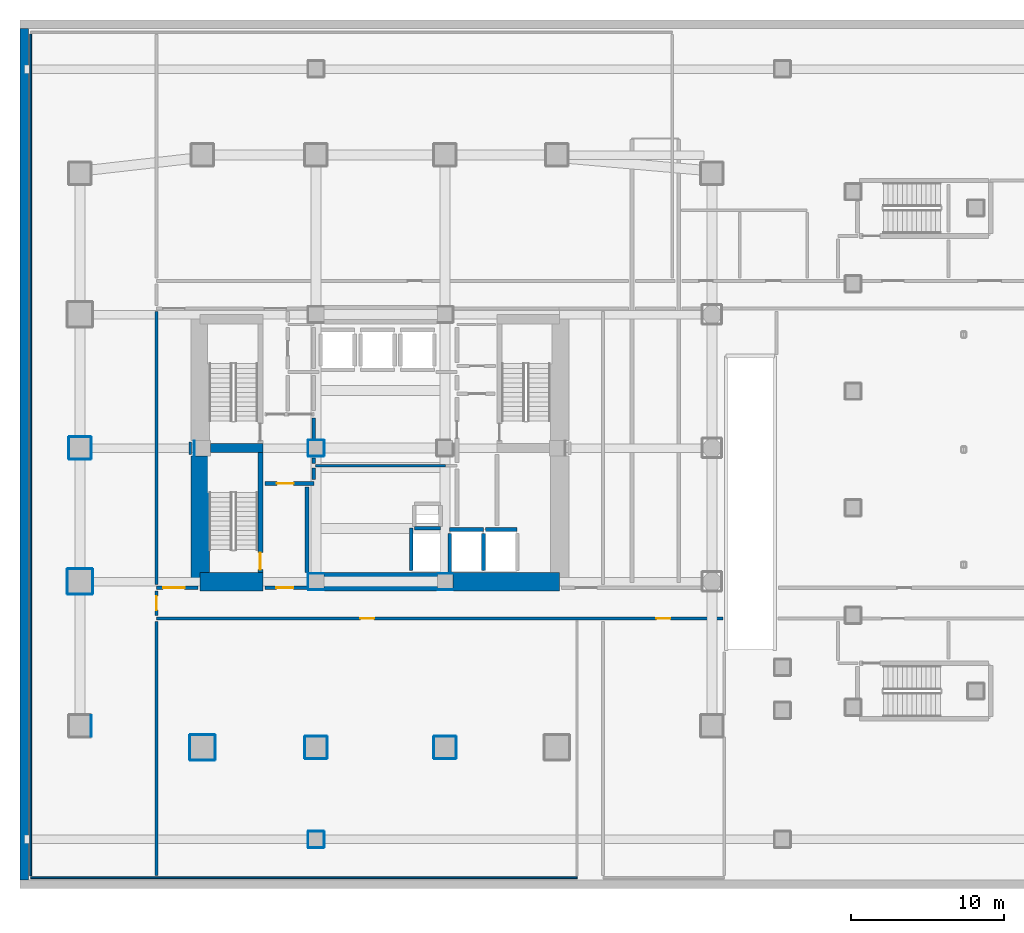
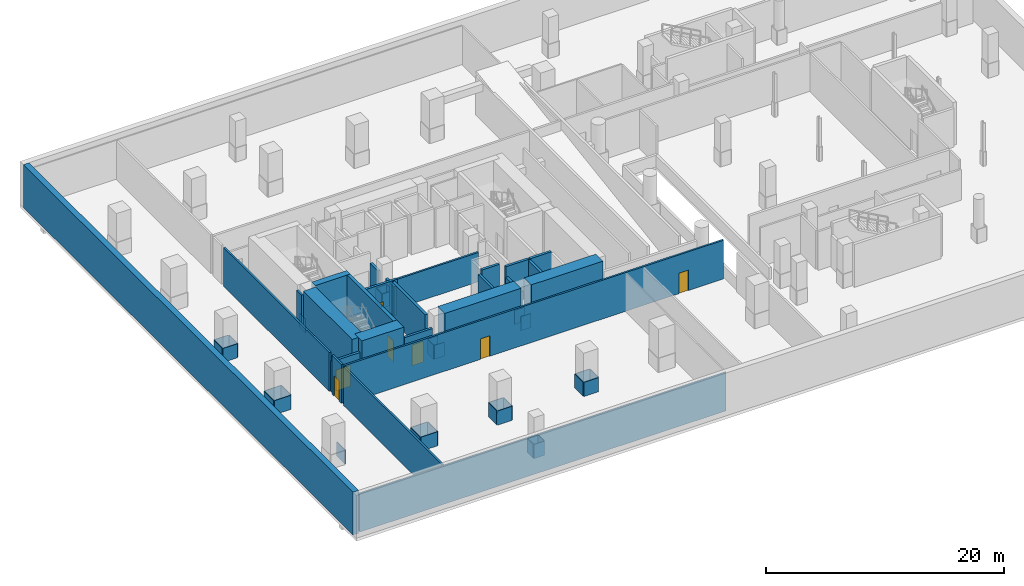
# One storey, part 7 of 22: 63 walls, 7 doors, 7 openings.
"""IFC4 building model written with IfcOpenShell, lengths in metres."""

from ifc_helpers import new_model, si_unit, direction, frame, frame_2d, origin, place, context, subcontext, project, spatial, rectangle, extrude, material, layer, layer_set, type_object, element, fill, save


model = new_model("IFC4")

# Units and contexts
model_context = context("Model", 3, precision=1e-05, world=origin(), true_north=direction((0.0, 1.0)))
body_context = subcontext(model_context, "Body", "Model", "MODEL_VIEW")
ifc_project = project(units=[si_unit("LENGTHUNIT", "METRE"), si_unit("AREAUNIT", "SQUARE_METRE"), si_unit("VOLUMEUNIT", "CUBIC_METRE"), si_unit("PLANEANGLEUNIT", "RADIAN"), si_unit("MASSUNIT", "GRAM", prefix="KILO")], contexts=[model_context])

# Site, building, storey
site_placement = place(None, origin())
site = spatial("IfcSite", under=ifc_project, at=site_placement, CompositionType="ELEMENT")
building_placement = place(site_placement, origin())
building = spatial("IfcBuilding", under=site, at=building_placement, Name="Solanera Arch Residences", CompositionType="ELEMENT")
storey_placement = place(building_placement, frame((0.0, 0.0, -4.39990234375)))
storey = spatial("IfcBuildingStorey", under=building, at=storey_placement, Name="B01", CompositionType="ELEMENT", Elevation=-4.39990234375)

# Walls
ifc_material_1 = material(Name="Fire-Rated Gypsum Stud Partition", Category="gypsum")
ifc_layer_1 = layer(ifc_material_1, 0.06005859375)
ifc_layer_set_1 = layer_set([ifc_layer_1], Name="Fire-Rated Gypsum Stud Partition")
wall_type_1 = type_object("IfcWallType", Name="Column Acoustic Furring Wall 60", PredefinedType="PARTITIONING", material=ifc_layer_set_1)
for number, where, z_axis, x_axis, name in (
    (1, (20.300048828125, 21.468017578125, 0.0), (0.0, 0.0, 1.0), (1.0, 0.0, 0.0), "B01 Column Furring 1S"),
    (2, (20.300048828125, 22.531982421875, 0.0), (0.0, 0.0, 1.0), (1.0, 0.0, 0.0), "B01 Column Furring 1N"),
):
    element("IfcWall", number, at=place(storey_placement, frame(where, z_axis=z_axis, x_axis=x_axis)), inside=storey, type_object=wall_type_1, Name=name, PredefinedType="PARTITIONING", context=body_context, shape_type="SweptSolid", body=[
        extrude(rectangle(XDim=0.989990234375, YDim=0.06005859375, at=frame_2d((0.4951171875, 0.0))), origin(), (0.0, 0.0, 1.0), 1.449951171875),
    ])
wall_1_placement = place(storey_placement, frame((20.26806640625, 21.5, 0.0), z_axis=(0.0, 0.0, 1.0), x_axis=(0.0, 1.0, 0.0)))
element("IfcWall", 3, at=wall_1_placement, inside=storey, type_object=wall_type_1, Name="B01 Column Furring 1W", PredefinedType="PARTITIONING", context=body_context, shape_type="SweptSolid", body=[
    extrude(rectangle(XDim=1.0, YDim=0.06005859375, at=frame_2d((0.5, 0.0))), origin(), (0.0, 0.0, 1.0), 1.449951171875),
])
for number, where, z_axis, x_axis, name in (
    (4, (28.7099609375, 21.468017578125, 0.0), (0.0, 0.0, 1.0), (1.0, 0.0, 0.0), "B01 Column Furring 2S"),
    (5, (28.7099609375, 22.531982421875, 0.0), (0.0, 0.0, 1.0), (1.0, 0.0, 0.0), "B01 Column Furring 2N"),
    (6, (12.867919921875, 30.2099609375, 0.0), (0.0, 0.0, 1.0), (0.0, 1.0, 0.0), "B01 Column Furring 5W"),
):
    element("IfcWall", number, at=place(storey_placement, frame(where, z_axis=z_axis, x_axis=x_axis)), inside=storey, type_object=wall_type_1, Name=name, PredefinedType="PARTITIONING", context=body_context, shape_type="SweptSolid", body=[
        extrude(rectangle(XDim=0.97998046875, YDim=0.06005859375, at=frame_2d((0.489990234375, 0.0))), origin(), (0.0, 0.0, 1.0), 1.449951171875),
    ])
for number, where, z_axis, x_axis, name in (
    (7, (20.300048828125, 30.16796875, 0.0), (0.0, 0.0, 1.0), (1.0, 0.0, 0.0), "B01 Column Furring 7S"),
    (8, (20.300048828125, 31.23193359375, 0.0), (0.0, 0.0, 1.0), (1.0, 0.0, 0.0), "B01 Column Furring 7N"),
    (9, (20.26806640625, 30.199951171875, 0.0), (0.0, 0.0, 1.0), (0.0, 1.0, 0.0), "B01 Column Furring 7W"),
    (10, (21.33203125, 30.199951171875, 0.0), (0.0, 0.0, 1.0), (0.0, 1.0, 0.0), "B01 Column Furring 7E"),
):
    element("IfcWall", number, at=place(storey_placement, frame(where, z_axis=z_axis, x_axis=x_axis)), inside=storey, type_object=wall_type_1, Name=name, PredefinedType="PARTITIONING", context=body_context, shape_type="SweptSolid", body=[
        extrude(rectangle(XDim=1.0, YDim=0.06005859375, at=frame_2d((0.5, 0.0))), origin(), (0.0, 0.0, 1.0), 1.449951171875),
    ])
for number, where, z_axis, x_axis, name in (
    (11, (12.60009765625, 10.367919921875, 0.0), (0.0, 0.0, 1.0), (1.0, 0.0, 0.0), "B01 Column Furring 9S"),
    (12, (12.60009765625, 12.031982421875, 0.0), (0.0, 0.0, 1.0), (1.0, 0.0, 0.0), "B01 Column Furring 9N"),
):
    element("IfcWall", number, at=place(storey_placement, frame(where, z_axis=z_axis, x_axis=x_axis)), inside=storey, type_object=wall_type_1, Name=name, PredefinedType="PARTITIONING", context=body_context, shape_type="SweptSolid", body=[
        extrude(rectangle(XDim=1.599853515625, YDim=0.06005859375, at=frame_2d((0.7998046875, 0.0))), origin(), (0.0, 0.0, 1.0), 1.449951171875),
    ])
for number, where, z_axis, x_axis, name in (
    (13, (12.568115234375, 10.39990234375, 0.0), (0.0, 0.0, 1.0), (0.0, 1.0, 0.0), "B01 Column Furring 9W"),
    (14, (14.23193359375, 10.39990234375, 0.0), (0.0, 0.0, 1.0), (0.0, 1.0, 0.0), "B01 Column Furring 9E"),
):
    element("IfcWall", number, at=place(storey_placement, frame(where, z_axis=z_axis, x_axis=x_axis)), inside=storey, type_object=wall_type_1, Name=name, PredefinedType="PARTITIONING", context=body_context, shape_type="SweptSolid", body=[
        extrude(rectangle(XDim=1.60009765625, YDim=0.06005859375, at=frame_2d((0.800048828125, 0.0))), origin(), (0.0, 0.0, 1.0), 1.449951171875),
    ])
for number, where, z_axis, x_axis, name in (
    (15, (4.60009765625, 21.16796875, 0.0), (0.0, 0.0, 1.0), (1.0, 0.0, 0.0), "B01 Column Furring 15S"),
    (16, (4.60009765625, 22.83203125, 0.0), (0.0, 0.0, 1.0), (1.0, 0.0, 0.0), "B01 Column Furring 15N"),
):
    element("IfcWall", number, at=place(storey_placement, frame(where, z_axis=z_axis, x_axis=x_axis)), inside=storey, type_object=wall_type_1, Name=name, PredefinedType="PARTITIONING", context=body_context, shape_type="SweptSolid", body=[
        extrude(rectangle(XDim=1.599853515625, YDim=0.06005859375, at=frame_2d((0.7998046875, 0.0))), origin(), (0.0, 0.0, 1.0), 1.449951171875),
    ])
for number, where, z_axis, x_axis, name in (
    (17, (4.568115234375, 21.199951171875, 0.0), (0.0, 0.0, 1.0), (0.0, 1.0, 0.0), "B01 Column Furring 15W"),
    (18, (6.23193359375, 21.199951171875, 0.0), (0.0, 0.0, 1.0), (0.0, 1.0, 0.0), "B01 Column Furring 15E"),
):
    element("IfcWall", number, at=place(storey_placement, frame(where, z_axis=z_axis, x_axis=x_axis)), inside=storey, type_object=wall_type_1, Name=name, PredefinedType="PARTITIONING", context=body_context, shape_type="SweptSolid", body=[
        extrude(rectangle(XDim=1.60009765625, YDim=0.06005859375, at=frame_2d((0.800048828125, 0.0))), origin(), (0.0, 0.0, 1.0), 1.449951171875),
    ])
for number, where, z_axis, x_axis, name in (
    (19, (4.699951171875, 29.968017578125, 0.0), (0.0, 0.0, 1.0), (1.0, 0.0, 0.0), "B01 Column Furring 16S"),
    (20, (4.699951171875, 31.431884765625, 0.0), (0.0, 0.0, 1.0), (1.0, 0.0, 0.0), "B01 Column Furring 16N"),
):
    element("IfcWall", number, at=place(storey_placement, frame(where, z_axis=z_axis, x_axis=x_axis)), inside=storey, type_object=wall_type_1, Name=name, PredefinedType="PARTITIONING", context=body_context, shape_type="SweptSolid", body=[
        extrude(rectangle(XDim=1.400146484375, YDim=0.06005859375, at=frame_2d((0.7001953125, 0.0))), origin(), (0.0, 0.0, 1.0), 1.449951171875),
    ])
for number, where, z_axis, x_axis, name in (
    (21, (4.66796875, 30.0, 0.0), (0.0, 0.0, 1.0), (0.0, 1.0, 0.0), "B01 Column Furring 16W"),
    (22, (6.132080078125, 30.0, 0.0), (0.0, 0.0, 1.0), (0.0, 1.0, 0.0), "B01 Column Furring 16E"),
):
    element("IfcWall", number, at=place(storey_placement, frame(where, z_axis=z_axis, x_axis=x_axis)), inside=storey, type_object=wall_type_1, Name=name, PredefinedType="PARTITIONING", context=body_context, shape_type="SweptSolid", body=[
        extrude(rectangle(XDim=1.39990234375, YDim=0.06005859375, at=frame_2d((0.699951171875, 0.0))), origin(), (0.0, 0.0, 1.0), 1.449951171875),
    ])
wall_2_placement = place(storey_placement, frame((6.132080078125, 11.89990234375, 0.0), z_axis=(0.0, 0.0, 1.0), x_axis=(0.0, 1.0, 0.0)))
element("IfcWall", 23, at=wall_2_placement, inside=storey, type_object=wall_type_1, Name="B01 Column Furring 21E", PredefinedType="PARTITIONING", context=body_context, shape_type="SweptSolid", body=[
    extrude(rectangle(XDim=1.400146484375, YDim=0.06005859375, at=frame_2d((0.7001953125, 0.0))), origin(), (0.0, 0.0, 1.0), 1.449951171875),
])
for number, where, z_axis, x_axis, name in (
    (24, (20.10009765625, 10.468017578125, 0.0), (0.0, 0.0, 1.0), (1.0, 0.0, 0.0), "B01 Column Furring 25S"),
    (25, (20.10009765625, 11.931884765625, 0.0), (0.0, 0.0, 1.0), (1.0, 0.0, 0.0), "B01 Column Furring 25N"),
    (26, (20.068115234375, 10.5, 0.0), (0.0, 0.0, 1.0), (0.0, 1.0, 0.0), "B01 Column Furring 25W"),
    (27, (21.531982421875, 10.5, 0.0), (0.0, 0.0, 1.0), (0.0, 1.0, 0.0), "B01 Column Furring 25E"),
    (28, (28.5, 10.468017578125, 0.0), (0.0, 0.0, 1.0), (1.0, 0.0, 0.0), "B01 Column Furring 26S"),
    (29, (28.5, 11.931884765625, 0.0), (0.0, 0.0, 1.0), (1.0, 0.0, 0.0), "B01 Column Furring 26N"),
    (30, (28.468017578125, 10.5, 0.0), (0.0, 0.0, 1.0), (0.0, 1.0, 0.0), "B01 Column Furring 26W"),
    (31, (29.931884765625, 10.5, 0.0), (0.0, 0.0, 1.0), (0.0, 1.0, 0.0), "B01 Column Furring 26E"),
):
    element("IfcWall", number, at=place(storey_placement, frame(where, z_axis=z_axis, x_axis=x_axis)), inside=storey, type_object=wall_type_1, Name=name, PredefinedType="PARTITIONING", context=body_context, shape_type="SweptSolid", body=[
        extrude(rectangle(XDim=1.39990234375, YDim=0.06005859375, at=frame_2d((0.699951171875, 0.0))), origin(), (0.0, 0.0, 1.0), 1.449951171875),
    ])
for number, where, z_axis, x_axis, name in (
    (32, (20.300048828125, 4.66796875, 0.0), (0.0, 0.0, 1.0), (1.0, 0.0, 0.0), "B01 Column Furring 35S"),
    (33, (20.300048828125, 5.73193359375, 0.0), (0.0, 0.0, 1.0), (1.0, 0.0, 0.0), "B01 Column Furring 35N"),
    (34, (20.26806640625, 4.699951171875, 0.0), (0.0, 0.0, 1.0), (0.0, 1.0, 0.0), "B01 Column Furring 35W"),
    (35, (21.33203125, 4.699951171875, 0.0), (0.0, 0.0, 1.0), (0.0, 1.0, 0.0), "B01 Column Furring 35E"),
):
    element("IfcWall", number, at=place(storey_placement, frame(where, z_axis=z_axis, x_axis=x_axis)), inside=storey, type_object=wall_type_1, Name=name, PredefinedType="PARTITIONING", context=body_context, shape_type="SweptSolid", body=[
        extrude(rectangle(XDim=1.0, YDim=0.06005859375, at=frame_2d((0.5, 0.0))), origin(), (0.0, 0.0, 1.0), 1.449951171875),
    ])
ifc_material_2 = material(Name="Concrete C55/67 (f'c = 60 MPa)", Category="concrete")
ifc_layer_2 = layer(ifc_material_2, 1.199951171875)
ifc_layer_set_2 = layer_set([ifc_layer_2], Name="Concrete C55/67 (f'c = 60 MPa)")
wall_type_2 = type_object("IfcWallType", Name="Core Shear Wall CW-1200", PredefinedType="SHEAR", material=ifc_layer_set_2)
wall_3_placement = place(storey_placement, frame((13.239990234375, 22.0, 0.0), z_axis=(0.0, 0.0, 1.0), x_axis=(0.0, 1.0, 0.0)))
element("IfcWall", 36, at=wall_3_placement, inside=storey, type_object=wall_type_2, Name="B01 West Core South Shear Wall", PredefinedType="SHEAR", context=body_context, shape_type="SweptSolid", body=[
    extrude(rectangle(XDim=8.195068359375, YDim=1.199951171875, at=frame_2d((4.09765625, 0.0))), origin(), (0.0, 0.0, 1.0), 4.39990234375),
])
wall_4_placement = place(storey_placement, frame((13.239990234375, 22.0, 0.0), z_axis=(0.0, 0.0, 1.0), x_axis=(1.0, 0.0, 0.0)))
element("IfcWall", 37, at=wall_4_placement, inside=storey, type_object=wall_type_2, Name="B01 South-West Core Shear Wall", PredefinedType="SHEAR", context=body_context, shape_type="SweptSolid", body=[
    extrude(rectangle(XDim=4.080078125, YDim=1.199951171875, at=frame_2d((2.0400390625, 0.0))), origin(), (0.0, 0.0, 1.0), 4.39990234375),
])
wall_5_placement = place(storey_placement, frame((29.705078125, 22.0, 0.0), z_axis=(0.0, 0.0, 1.0), x_axis=(1.0, 0.0, 0.0)))
element("IfcWall", 38, at=wall_5_placement, inside=storey, type_object=wall_type_2, Name="B01 South-East Core Shear Wall", PredefinedType="SHEAR", context=body_context, shape_type="SweptSolid", body=[
    extrude(rectangle(XDim=6.954833984375, YDim=1.199951171875, at=frame_2d((3.4775390625, 0.0))), origin(), (0.0, 0.0, 1.0), 4.39990234375),
])
wall_6_placement = place(storey_placement, frame((21.304931640625, 22.0, 0.0), z_axis=(0.0, 0.0, 1.0), x_axis=(1.0, 0.0, 0.0)))
element("IfcWall", 39, at=wall_6_placement, inside=storey, type_object=wall_type_2, Name="B01 Central South Core Shear Wall", PredefinedType="SHEAR", context=body_context, shape_type="SweptSolid", body=[
    extrude(rectangle(XDim=7.39013671875, YDim=1.199951171875, at=frame_2d((3.695068359375, 0.0))), origin(), (0.0, 0.0, 1.0), 4.39990234375),
])

# Wall, opening, door
ifc_material_3 = material(Name="Concrete C40/50 (f'c = 45 MPa)", Category="concrete")
ifc_layer_3 = layer(ifc_material_3, 0.320068359375)
ifc_layer_set_3 = layer_set([ifc_layer_3], Name="Concrete C40/50 (f'c = 45 MPa)")
wall_type_3 = type_object("IfcWallType", Name="Core Shear Wall CW-320", PredefinedType="SHEAR", material=ifc_layer_set_3)
wall_7_placement = place(storey_placement, frame((17.159912109375, 22.60009765625, 0.0), z_axis=(0.0, 0.0, 1.0), x_axis=(0.0, 1.0, 0.0)))
wall_7 = element("IfcWall", 40, at=wall_7_placement, inside=storey, type_object=wall_type_3, Name="B01 Stair ST-T3 East Shear Wall", PredefinedType="SHEAR", context=body_context, shape_type="SweptSolid", body=[
    extrude(rectangle(XDim=7.7998046875, YDim=0.320068359375, at=frame_2d((3.89990234375, 0.0))), origin(), (0.0, 0.0, 1.0), 4.39990234375),
])
opening_1_placement = place(wall_7_placement, frame((0.18994140625, 0.0, 0.0)))
opening_1 = element("IfcOpeningElement", 41, at=opening_1_placement, cuts=wall_7, Name="Opening DF-01", PredefinedType="OPENING", context=body_context, shape_type="SweptSolid", body=[
    extrude(rectangle(XDim=1.10009765625, YDim=2.14990234375, at=frame_2d((0.550048828125, 1.074951171875))), frame((0.0, 0.169921875, 0.0), z_axis=(0.0, -1.0, 0.0), x_axis=(1.0, 0.0, 0.0)), (0.0, 0.0, 1.0), 0.3401),
])
ifc_material_4 = material(Name="Fire-Rated Architectural Hardwood", Category="wood")
door_type_1 = type_object("IfcDoorType", Name="Stair Exit Fire Door DF-01", OperationType="NOTDEFINED", PredefinedType="DOOR", material=ifc_material_4)
door_1_placement = place(opening_1_placement, origin())
door_1 = element("IfcDoor", 42, at=door_1_placement, inside=storey, type_object=door_type_1, Name="DR-B01-STAIR-ST-T3", OperationType="SINGLE_SWING_RIGHT", OverallHeight=2.14990234375, OverallWidth=1.10009765625, PredefinedType="DOOR", context=body_context, shape_type="SweptSolid", body=[
    extrude(rectangle(XDim=1.10009765625, YDim=2.14990234375, at=frame_2d((0.550048828125, 1.074951171875))), frame((0.0, 0.02490234375, 0.0), z_axis=(0.0, -1.0, 0.0), x_axis=(1.0, 0.0, 0.0)), (0.0, 0.0, 1.0), 0.050048828125),
])
fill(opening_1, door_1)

# Wall
ifc_material_5 = material(Name="Concrete C40/50 (f'c = 45 MPa)", Category="concrete")
ifc_layer_4 = layer(ifc_material_5, 0.60009765625)
ifc_layer_set_4 = layer_set([ifc_layer_4], Name="Concrete C40/50 (f'c = 45 MPa)")
wall_type_4 = type_object("IfcWallType", Name="Core Shear Wall CW-600", PredefinedType="SHEAR", material=ifc_layer_set_4)
wall_8_placement = place(storey_placement, frame((13.905029296875, 30.699951171875, 0.0), z_axis=(0.0, 0.0, 1.0), x_axis=(1.0, 0.0, 0.0)))
element("IfcWall", 43, at=wall_8_placement, inside=storey, type_object=wall_type_4, Name="B01 West Stair Divider Shear Wall", PredefinedType="SHEAR", context=body_context, shape_type="SweptSolid", body=[
    extrude(rectangle(XDim=3.4150390625, YDim=0.60009765625, at=frame_2d((1.70751953125, 0.0))), origin(), (0.0, 0.0, 1.0), 4.39990234375),
])

# Wall, openings, doors
ifc_material_6 = material(Name="Autoclaved Aerated Concrete Blockwork", Category="masonry")
ifc_layer_5 = layer(ifc_material_6, 0.179931640625)
ifc_layer_set_5 = layer_set([ifc_layer_5], Name="Autoclaved Aerated Concrete Blockwork")
wall_type_5 = type_object("IfcWallType", Name="Corridor Fire Partition 180", PredefinedType="PARTITIONING", material=ifc_layer_set_5)
wall_9_placement = place(storey_placement, frame((10.39990234375, 19.60009765625, 0.0), z_axis=(0.0, 0.0, 1.0), x_axis=(1.0, 0.0, 0.0)))
wall_9 = element("IfcWall", 44, at=wall_9_placement, inside=storey, type_object=wall_type_5, Name="B01 Interior Partition H11", PredefinedType="PARTITIONING", context=body_context, shape_type="SweptSolid", body=[
    extrude(rectangle(XDim=36.902099609375, YDim=0.179931640625, at=frame_2d((18.451171875, 0.0))), origin(), (0.0, 0.0, 1.0), 3.97998046875),
])
opening_2_placement = place(wall_9_placement, frame((13.27392578125, 0.0, 0.0)))
opening_2 = element("IfcOpeningElement", 45, at=opening_2_placement, cuts=wall_9, Name="Opening DI-02", PredefinedType="OPENING", context=body_context, shape_type="SweptSolid", body=[
    extrude(rectangle(XDim=0.89990234375, YDim=2.10009765625, at=frame_2d((0.449951171875, 1.050048828125))), frame((0.0, 0.10009765625, 0.0), z_axis=(0.0, -1.0, 0.0), x_axis=(1.0, 0.0, 0.0)), (0.0, 0.0, 1.0), 0.1999),
])
opening_3_placement = place(wall_9_placement, frame((32.575927734375, 0.0, 0.0)))
opening_3 = element("IfcOpeningElement", 46, at=opening_3_placement, cuts=wall_9, Name="Opening DI-02", PredefinedType="OPENING", context=body_context, shape_type="SweptSolid", body=[
    extrude(rectangle(XDim=0.89990234375, YDim=2.10009765625, at=frame_2d((0.449951171875, 1.050048828125))), frame((0.0, 0.10009765625, 0.0), z_axis=(0.0, -1.0, 0.0), x_axis=(1.0, 0.0, 0.0)), (0.0, 0.0, 1.0), 0.1999),
])
ifc_material_7 = material(Name="Fire-Rated Architectural Hardwood", Category="wood")
door_type_2 = type_object("IfcDoorType", Name="Suite Room Swing Door DI-02", OperationType="NOTDEFINED", PredefinedType="DOOR", material=ifc_material_7)
door_2_placement = place(opening_2_placement, origin())
door_2 = element("IfcDoor", 47, at=door_2_placement, inside=storey, type_object=door_type_2, Name="DR-B01-IN-025", OperationType="SINGLE_SWING_RIGHT", OverallHeight=2.10009765625, OverallWidth=0.89990234375, PredefinedType="DOOR", context=body_context, shape_type="SweptSolid", body=[
    extrude(rectangle(XDim=0.89990234375, YDim=2.10009765625, at=frame_2d((0.449951171875, 1.050048828125))), frame((0.0, 0.02490234375, 0.0), z_axis=(0.0, -1.0, 0.0), x_axis=(1.0, 0.0, 0.0)), (0.0, 0.0, 1.0), 0.050048828125),
])
fill(opening_2, door_2)
door_3_placement = place(opening_3_placement, origin())
door_3 = element("IfcDoor", 48, at=door_3_placement, inside=storey, type_object=door_type_2, Name="DR-B01-IN-028", OperationType="SINGLE_SWING_LEFT", OverallHeight=2.10009765625, OverallWidth=0.89990234375, PredefinedType="DOOR", context=body_context, shape_type="SweptSolid", body=[
    extrude(rectangle(XDim=0.89990234375, YDim=2.10009765625, at=frame_2d((0.449951171875, 1.050048828125))), frame((0.0, 0.02490234375, 0.0), z_axis=(0.0, -1.0, 0.0), x_axis=(1.0, 0.0, 0.0)), (0.0, 0.0, 1.0), 0.050048828125),
])
fill(opening_3, door_3)

# Walls
wall_10_placement = place(storey_placement, frame((20.760009765625, 29.550048828125, 0.0), z_axis=(0.0, 0.0, 1.0), x_axis=(1.0, 0.0, 0.0)))
element("IfcWall", 49, at=wall_10_placement, inside=storey, type_object=wall_type_5, Name="B01 Interior Partition H13 1", PredefinedType="PARTITIONING", context=body_context, shape_type="SweptSolid", body=[
    extrude(rectangle(XDim=8.47998046875, YDim=0.179931640625, at=frame_2d((4.239990234375, 0.0))), origin(), (0.0, 0.0, 1.0), 3.014892578125),
])
wall_11_placement = place(storey_placement, frame((10.39990234375, 2.85791015625, 0.0), z_axis=(0.0, 0.0, 1.0), x_axis=(0.0, 1.0, 0.0)))
element("IfcWall", 50, at=wall_11_placement, inside=storey, type_object=wall_type_5, Name="B01 Interior Partition V10 1", PredefinedType="PARTITIONING", context=body_context, shape_type="SweptSolid", body=[
    extrude(rectangle(XDim=16.55419921875, YDim=0.179931640625, at=frame_2d((8.277099609375, 0.0))), origin(), (0.0, 0.0, 1.0), 3.97998046875),
])

# Wall, opening, door
wall_12_placement = place(storey_placement, frame((10.39990234375, 19.7880859375, 0.0), z_axis=(0.0, 0.0, 1.0), x_axis=(0.0, 1.0, 0.0)))
wall_12 = element("IfcWall", 51, at=wall_12_placement, inside=storey, type_object=wall_type_5, Name="B01 Interior Partition V10 2", PredefinedType="PARTITIONING", context=body_context, shape_type="SweptSolid", body=[
    extrude(rectangle(XDim=1.593994140625, YDim=0.179931640625, at=frame_2d((0.796875, 0.0))), origin(), (0.0, 0.0, 1.0), 3.97998046875),
])
opening_4_placement = place(wall_12_placement, frame((0.362060546875, 0.0, 0.0)))
opening_4 = element("IfcOpeningElement", 52, at=opening_4_placement, cuts=wall_12, Name="Opening DI-02", PredefinedType="OPENING", context=body_context, shape_type="SweptSolid", body=[
    extrude(rectangle(XDim=0.89990234375, YDim=2.10009765625, at=frame_2d((0.449951171875, 1.050048828125))), frame((0.0, 0.10009765625, 0.0), z_axis=(0.0, -1.0, 0.0), x_axis=(1.0, 0.0, 0.0)), (0.0, 0.0, 1.0), 0.1999),
])
door_4_placement = place(opening_4_placement, origin())
door_4 = element("IfcDoor", 53, at=door_4_placement, inside=storey, type_object=door_type_2, Name="DR-B01-IN-024", OperationType="SINGLE_SWING_LEFT", OverallHeight=2.10009765625, OverallWidth=0.89990234375, PredefinedType="DOOR", context=body_context, shape_type="SweptSolid", body=[
    extrude(rectangle(XDim=0.89990234375, YDim=2.10009765625, at=frame_2d((0.449951171875, 1.050048828125))), frame((0.0, 0.02490234375, 0.0), z_axis=(0.0, -1.0, 0.0), x_axis=(1.0, 0.0, 0.0)), (0.0, 0.0, 1.0), 0.050048828125),
])
fill(opening_4, door_4)

# Walls
wall_13_placement = place(storey_placement, frame((10.39990234375, 21.818115234375, 0.0), z_axis=(0.0, 0.0, 1.0), x_axis=(0.0, 1.0, 0.0)))
element("IfcWall", 54, at=wall_13_placement, inside=storey, type_object=wall_type_5, Name="B01 Interior Partition V10 3", PredefinedType="PARTITIONING", context=body_context, shape_type="SweptSolid", body=[
    extrude(rectangle(XDim=17.7939453125, YDim=0.179931640625, at=frame_2d((8.89697265625, 0.0))), origin(), (0.0, 0.0, 1.0), 3.97998046875),
])
wall_14_placement = place(storey_placement, frame((12.60009765625, 30.287109375, 0.0), z_axis=(0.0, 0.0, 1.0), x_axis=(0.0, 1.0, 0.0)))
element("IfcWall", 55, at=wall_14_placement, inside=storey, type_object=wall_type_5, Name="B01 Interior Partition V11", PredefinedType="PARTITIONING", context=body_context, shape_type="SweptSolid", body=[
    extrude(rectangle(XDim=0.825927734375, YDim=0.179931640625, at=frame_2d((0.4130859375, 0.0))), origin(), (0.0, 0.0, 1.0), 3.97998046875),
])
ifc_material_8 = material(Name="Concrete C40/50 (f'c = 45 MPa)", Category="concrete")
ifc_layer_6 = layer(ifc_material_8, 0.239990234375)
ifc_layer_set_6 = layer_set([ifc_layer_6], Name="Concrete C40/50 (f'c = 45 MPa)")
wall_type_6 = type_object("IfcWallType", Name="Ramp Bearing Shear Wall RW-240", PredefinedType="SHEAR", material=ifc_layer_set_6)
wall_15_placement = place(storey_placement, frame((27.199951171875, 25.47998046875, 0.0), z_axis=(0.0, 0.0, 1.0), x_axis=(1.0, 0.0, 0.0)))
element("IfcWall", 56, at=wall_15_placement, inside=storey, type_object=wall_type_6, Name="B01 Core MEP Riser South Shaft Wall", PredefinedType="SHEAR", context=body_context, shape_type="SweptSolid", body=[
    extrude(rectangle(XDim=1.699951171875, YDim=0.239990234375, at=frame_2d((0.85009765625, 0.0))), origin(), (0.0, 0.0, 1.0), 4.39990234375),
])
ifc_material_9 = material(Name="Autoclaved Aerated Concrete Blockwork", Category="masonry")
ifc_layer_7 = layer(ifc_material_9, 0.239990234375)
ifc_layer_set_7 = layer_set([ifc_layer_7], Name="Autoclaved Aerated Concrete Blockwork")
wall_type_7 = type_object("IfcWallType", Name="Shaft Wall Fire-Rated 240", PredefinedType="PARTITIONING", material=ifc_layer_set_7)
wall_16_placement = place(storey_placement, frame((29.5, 25.39990234375, 0.0), z_axis=(0.0, 0.0, 1.0), x_axis=(1.0, 0.0, 0.0)))
element("IfcWall", 57, at=wall_16_placement, inside=storey, type_object=wall_type_7, Name="B01 Lift FFL-1 Hoistway Wall N", PredefinedType="PARTITIONING", context=body_context, shape_type="SweptSolid", body=[
    extrude(rectangle(XDim=2.199951171875, YDim=0.239990234375, at=frame_2d((1.10009765625, 0.0))), origin(), (0.0, 0.0, 1.0), 3.97998046875),
])
wall_17_placement = place(storey_placement, frame((29.5, 22.632080078125, 0.0), z_axis=(0.0, 0.0, 1.0), x_axis=(0.0, 1.0, 0.0)))
element("IfcWall", 58, at=wall_17_placement, inside=storey, type_object=wall_type_7, Name="B01 Lift FFL-1 Hoistway Wall W", PredefinedType="PARTITIONING", context=body_context, shape_type="SweptSolid", body=[
    extrude(rectangle(XDim=2.52001953125, YDim=0.239990234375, at=frame_2d((1.260009765625, 0.0))), origin(), (0.0, 0.0, 1.0), 3.014892578125),
])
wall_18_placement = place(storey_placement, frame((31.699951171875, 22.72998046875, 0.0), z_axis=(0.0, 0.0, 1.0), x_axis=(0.0, 1.0, 0.0)))
element("IfcWall", 59, at=wall_18_placement, inside=storey, type_object=wall_type_7, Name="B01 Lift FFL-1 Hoistway Wall E", PredefinedType="PARTITIONING", context=body_context, shape_type="SweptSolid", body=[
    extrude(rectangle(XDim=2.422119140625, YDim=0.239990234375, at=frame_2d((1.2109375, 0.0))), origin(), (0.0, 0.0, 1.0), 3.97998046875),
])
wall_19_placement = place(storey_placement, frame((31.827880859375, 25.39990234375, 0.0), z_axis=(0.0, 0.0, 1.0), x_axis=(1.0, 0.0, 0.0)))
element("IfcWall", 60, at=wall_19_placement, inside=storey, type_object=wall_type_7, Name="B01 Lift FFL-2 Hoistway Wall N", PredefinedType="PARTITIONING", context=body_context, shape_type="SweptSolid", body=[
    extrude(rectangle(XDim=2.072021484375, YDim=0.239990234375, at=frame_2d((1.0361328125, 0.0))), origin(), (0.0, 0.0, 1.0), 3.97998046875),
])
wall_20_placement = place(storey_placement, frame((27.0, 22.72998046875, 0.0), z_axis=(0.0, 0.0, 1.0), x_axis=(0.0, 1.0, 0.0)))
element("IfcWall", 61, at=wall_20_placement, inside=storey, type_object=wall_type_7, Name="B01 Lift SVL-1 Hoistway Wall W", PredefinedType="PARTITIONING", context=body_context, shape_type="SweptSolid", body=[
    extrude(rectangle(XDim=2.76806640625, YDim=0.239990234375, at=frame_2d((1.384033203125, 0.0))), origin(), (0.0, 0.0, 1.0), 3.97998046875),
])

# Wall, opening, door
wall_21_placement = place(storey_placement, frame((10.39990234375, 21.60009765625, 0.0), z_axis=(0.0, 0.0, 1.0), x_axis=(1.0, 0.0, 0.0)))
wall_21 = element("IfcWall", 62, at=wall_21_placement, inside=storey, type_object=wall_type_7, Name="B01 Interior Partition H1 1", PredefinedType="PARTITIONING", context=body_context, shape_type="SweptSolid", body=[
    extrude(rectangle(XDim=2.710205078125, YDim=0.239990234375, at=frame_2d((1.35498046875, 0.0))), origin(), (0.0, 0.0, 1.0), 3.21484375),
])
opening_5_placement = place(wall_21_placement, frame((0.424072265625, 0.0, 0.0)))
opening_5 = element("IfcOpeningElement", 63, at=opening_5_placement, cuts=wall_21, Name="Opening DF-03", PredefinedType="OPENING", context=body_context, shape_type="SweptSolid", body=[
    extrude(rectangle(XDim=1.39990234375, YDim=2.14990234375, at=frame_2d((0.699951171875, 1.074951171875))), frame((0.0, 0.1298828125, 0.0), z_axis=(0.0, -1.0, 0.0), x_axis=(1.0, 0.0, 0.0)), (0.0, 0.0, 1.0), 0.26),
])
ifc_material_10 = material(Name="Fire-Rated Architectural Hardwood", Category="wood")
door_type_3 = type_object("IfcDoorType", Name="Corridor Smoke Door DF-03", OperationType="NOTDEFINED", PredefinedType="DOOR", material=ifc_material_10)
door_5_placement = place(opening_5_placement, origin())
door_5 = element("IfcDoor", 64, at=door_5_placement, inside=storey, type_object=door_type_3, Name="DR-B01-IN-015", OperationType="SINGLE_SWING_RIGHT", OverallHeight=2.14990234375, OverallWidth=1.39990234375, PredefinedType="DOOR", context=body_context, shape_type="SweptSolid", body=[
    extrude(rectangle(XDim=1.39990234375, YDim=2.14990234375, at=frame_2d((0.699951171875, 1.074951171875))), frame((0.0, 0.02490234375, 0.0), z_axis=(0.0, -1.0, 0.0), x_axis=(1.0, 0.0, 0.0)), (0.0, 0.0, 1.0), 0.050048828125),
])
fill(opening_5, door_5)

wall_22_placement = place(storey_placement, frame((17.449951171875, 21.60009765625, 0.0), z_axis=(0.0, 0.0, 1.0), x_axis=(1.0, 0.0, 0.0)))
wall_22 = element("IfcWall", 65, at=wall_22_placement, inside=storey, type_object=wall_type_7, Name="B01 Interior Partition H1 2", PredefinedType="PARTITIONING", context=body_context, shape_type="SweptSolid", body=[
    extrude(rectangle(XDim=2.718017578125, YDim=0.239990234375, at=frame_2d((1.35888671875, 0.0))), origin(), (0.0, 0.0, 1.0), 3.21484375),
])
opening_6_placement = place(wall_22_placement, frame((0.760009765625, 0.0, 0.0)))
opening_6 = element("IfcOpeningElement", 66, at=opening_6_placement, cuts=wall_22, Name="Opening DF-02", PredefinedType="OPENING", context=body_context, shape_type="SweptSolid", body=[
    extrude(rectangle(XDim=1.10009765625, YDim=2.14990234375, at=frame_2d((0.550048828125, 1.074951171875))), frame((0.0, 0.1298828125, 0.0), z_axis=(0.0, -1.0, 0.0), x_axis=(1.0, 0.0, 0.0)), (0.0, 0.0, 1.0), 0.26),
])
ifc_material_11 = material(Name="Fire-Rated Architectural Hardwood", Category="wood")
door_type_4 = type_object("IfcDoorType", Name="Firefighting Lobby Fire Door DF-02", OperationType="NOTDEFINED", PredefinedType="DOOR", material=ifc_material_11)
door_6_placement = place(opening_6_placement, origin())
door_6 = element("IfcDoor", 67, at=door_6_placement, inside=storey, type_object=door_type_4, Name="DR-B01-IN-013", OperationType="SINGLE_SWING_RIGHT", OverallHeight=2.14990234375, OverallWidth=1.10009765625, PredefinedType="DOOR", context=body_context, shape_type="SweptSolid", body=[
    extrude(rectangle(XDim=1.10009765625, YDim=2.14990234375, at=frame_2d((0.550048828125, 1.074951171875))), frame((0.0, 0.02490234375, 0.0), z_axis=(0.0, -1.0, 0.0), x_axis=(1.0, 0.0, 0.0)), (0.0, 0.0, 1.0), 0.050048828125),
])
fill(opening_6, door_6)

wall_23_placement = place(storey_placement, frame((17.449951171875, 28.39990234375, 0.0), z_axis=(0.0, 0.0, 1.0), x_axis=(1.0, 0.0, 0.0)))
wall_23 = element("IfcWall", 68, at=wall_23_placement, inside=storey, type_object=wall_type_7, Name="B01 Interior Partition H4", PredefinedType="PARTITIONING", context=body_context, shape_type="SweptSolid", body=[
    extrude(rectangle(XDim=3.199951171875, YDim=0.239990234375, at=frame_2d((1.60009765625, 0.0))), origin(), (0.0, 0.0, 1.0), 3.97998046875),
])
opening_7_placement = place(wall_23_placement, frame((0.783935546875, 0.0, 0.0)))
opening_7 = element("IfcOpeningElement", 69, at=opening_7_placement, cuts=wall_23, Name="Opening DF-02", PredefinedType="OPENING", context=body_context, shape_type="SweptSolid", body=[
    extrude(rectangle(XDim=1.10009765625, YDim=2.14990234375, at=frame_2d((0.550048828125, 1.074951171875))), frame((0.0, 0.1298828125, 0.0), z_axis=(0.0, -1.0, 0.0), x_axis=(1.0, 0.0, 0.0)), (0.0, 0.0, 1.0), 0.26),
])
door_7_placement = place(opening_7_placement, origin())
door_7 = element("IfcDoor", 70, at=door_7_placement, inside=storey, type_object=door_type_4, Name="DR-B01-IN-009", OperationType="SINGLE_SWING_RIGHT", OverallHeight=2.14990234375, OverallWidth=1.10009765625, PredefinedType="DOOR", context=body_context, shape_type="SweptSolid", body=[
    extrude(rectangle(XDim=1.10009765625, YDim=2.14990234375, at=frame_2d((0.550048828125, 1.074951171875))), frame((0.0, 0.02490234375, 0.0), z_axis=(0.0, -1.0, 0.0), x_axis=(1.0, 0.0, 0.0)), (0.0, 0.0, 1.0), 0.050048828125),
])
fill(opening_7, door_7)

# Walls
wall_24_placement = place(storey_placement, frame((20.199951171875, 22.5859375, 0.0), z_axis=(0.0, 0.0, 1.0), x_axis=(0.0, 1.0, 0.0)))
element("IfcWall", 71, at=wall_24_placement, inside=storey, type_object=wall_type_7, Name="B01 Interior Partition V2", PredefinedType="PARTITIONING", context=body_context, shape_type="SweptSolid", body=[
    extrude(rectangle(XDim=5.566162109375, YDim=0.239990234375, at=frame_2d((2.783203125, 0.0))), origin(), (0.0, 0.0, 1.0), 3.97998046875),
])
wall_25_placement = place(storey_placement, frame((20.64990234375, 28.64794921875, 0.0), z_axis=(0.0, 0.0, 1.0), x_axis=(0.0, 1.0, 0.0)))
element("IfcWall", 72, at=wall_25_placement, inside=storey, type_object=wall_type_7, Name="B01 Interior Partition V3 1", PredefinedType="PARTITIONING", context=body_context, shape_type="SweptSolid", body=[
    extrude(rectangle(XDim=0.7470703125, YDim=0.239990234375, at=frame_2d((0.37353515625, 0.0))), origin(), (0.0, 0.0, 1.0), 3.014892578125),
])
wall_26_placement = place(storey_placement, frame((20.64990234375, 29.705078125, 0.0), z_axis=(0.0, 0.0, 1.0), x_axis=(0.0, 1.0, 0.0)))
element("IfcWall", 73, at=wall_26_placement, inside=storey, type_object=wall_type_7, Name="B01 Interior Partition V3 2", PredefinedType="PARTITIONING", context=body_context, shape_type="SweptSolid", body=[
    extrude(rectangle(XDim=0.363037109375, YDim=0.239990234375, at=frame_2d((0.181640625, 0.0))), origin(), (0.0, 0.0, 1.0), 3.014892578125),
])
wall_27_placement = place(storey_placement, frame((20.64990234375, 31.33203125, 0.0), z_axis=(0.0, 0.0, 1.0), x_axis=(0.0, 1.0, 0.0)))
element("IfcWall", 74, at=wall_27_placement, inside=storey, type_object=wall_type_7, Name="B01 Interior Partition V3 3", PredefinedType="PARTITIONING", context=body_context, shape_type="SweptSolid", body=[
    extrude(rectangle(XDim=1.320068359375, YDim=0.239990234375, at=frame_2d((0.66015625, 0.0))), origin(), (0.0, 0.0, 1.0), 3.014892578125),
])
ifc_material_12 = material(Name="Concrete C40/50 (f'c = 45 MPa)", Category="concrete")
ifc_layer_8 = layer(ifc_material_12, 0.550048828125)
ifc_layer_set_8 = layer_set([ifc_layer_8], Name="Concrete C40/50 (f'c = 45 MPa)")
wall_type_8 = type_object("IfcWallType", Name="Solid Exterior Wall Substructure 550", PredefinedType="SOLIDWALL", material=ifc_layer_set_8)
wall_28_placement = place(storey_placement, frame((1.77490234375, 58.050048828125, 0.0), z_axis=(0.0, 0.0, 1.0), x_axis=(0.0, -1.0, 0.0)))
element("IfcWall", 75, at=wall_28_placement, inside=storey, type_object=wall_type_8, Name="B01 West Basement Retaining Wall", PredefinedType="SOLIDWALL", context=body_context, shape_type="SweptSolid", body=[
    extrude(rectangle(XDim=55.5, YDim=0.550048828125, at=frame_2d((27.75, 0.0))), origin(), (0.0, 0.0, 1.0), 4.39990234375),
])
ifc_material_13 = material(Name="Fire-Rated Gypsum Stud Partition", Category="gypsum")
ifc_layer_9 = layer(ifc_material_13, 0.1201171875)
ifc_layer_set_9 = layer_set([ifc_layer_9], Name="Fire-Rated Gypsum Stud Partition")
wall_type_9 = type_object("IfcWallType", Name="Unit Drywall Partition 120", PredefinedType="PARTITIONING", material=ifc_layer_set_9)
wall_29_placement = place(storey_placement, frame((2.199951171875, 2.699951171875, 0.0), z_axis=(0.0, 0.0, 1.0), x_axis=(1.0, 0.0, 0.0)))
element("IfcWall", 76, at=wall_29_placement, inside=storey, type_object=wall_type_9, Name="B01 Interior Partition H20", PredefinedType="PARTITIONING", context=body_context, shape_type="SweptSolid", body=[
    extrude(rectangle(XDim=35.60009765625, YDim=0.1201171875, at=frame_2d((17.800048828125, 0.0))), origin(), (0.0, 0.0, 1.0), 3.97998046875),
])
wall_30_placement = place(storey_placement, frame((2.199951171875, 2.827880859375, 0.0), z_axis=(0.0, 0.0, 1.0), x_axis=(0.0, 1.0, 0.0)))
element("IfcWall", 77, at=wall_30_placement, inside=storey, type_object=wall_type_9, Name="B01 Interior Partition V24", PredefinedType="PARTITIONING", context=body_context, shape_type="SweptSolid", body=[
    extrude(rectangle(XDim=54.84423828125, YDim=0.1201171875, at=frame_2d((27.422119140625, 0.0))), origin(), (0.0, 0.0, 1.0), 3.97998046875),
])

save(model, "model.ifc")
